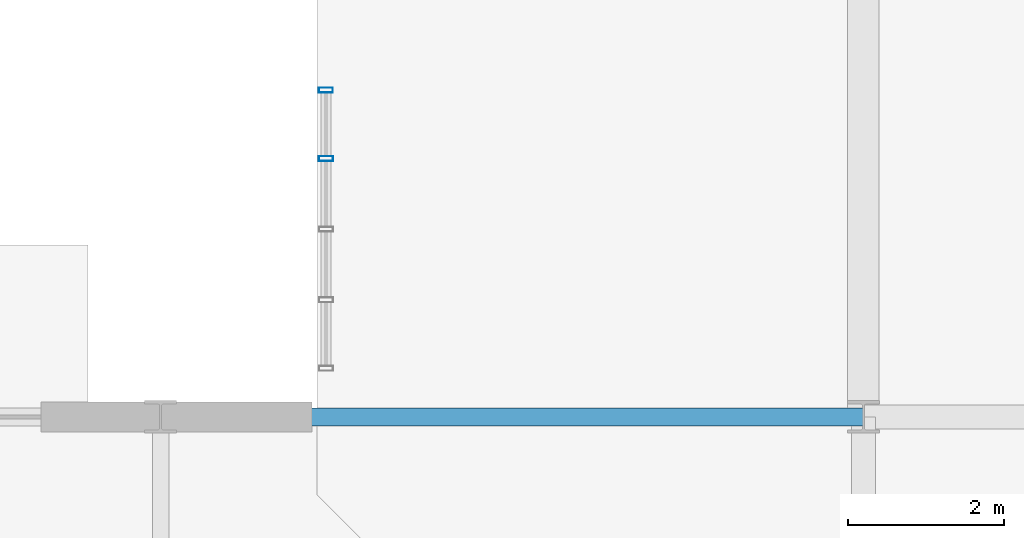
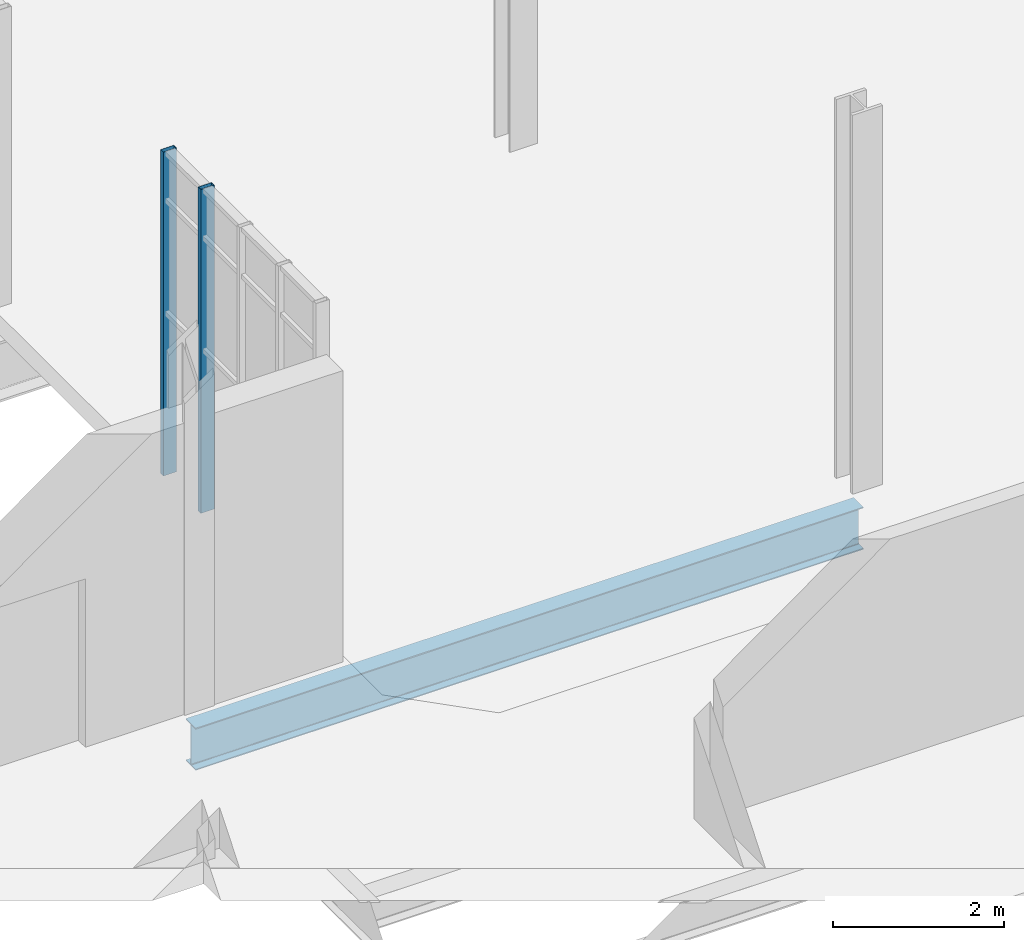
# One storey, part 29 of 189: 2 members, 1 beam, 1 element without a shape of its own.
"""IFC4 building model written with IfcOpenShell, lengths in metres."""

from ifc_helpers import new_model, si_unit, direction, frame, origin, origin_2d, place, context, subcontext, project, spatial, hollow_rectangle, i_section, extrude, material, layer, layer_set, material_profile, profile_set, type_object, element, aggregate, save


model = new_model("IFC4")

# Units and contexts
model_context = context("Model", 3, precision=1e-05, world=origin(), true_north=direction((0.0, 1.0)))
body_context = subcontext(model_context, "Body", "Model", "MODEL_VIEW")
ifc_project = project(units=[si_unit("LENGTHUNIT", "METRE"), si_unit("AREAUNIT", "SQUARE_METRE"), si_unit("VOLUMEUNIT", "CUBIC_METRE"), si_unit("PLANEANGLEUNIT", "RADIAN"), si_unit("MASSUNIT", "GRAM", prefix="KILO"), si_unit("THERMODYNAMICTEMPERATUREUNIT", "KELVIN"), si_unit("POWERUNIT", "WATT")], contexts=[model_context])

# Site, building, storey
site_placement = place(None, origin())
site = spatial("IfcSite", under=ifc_project, at=site_placement, CompositionType="ELEMENT")
building_placement = place(site_placement, origin())
building = spatial("IfcBuilding", under=site, at=building_placement, Name="Zelmaris Science Centre", CompositionType="ELEMENT")
storey_placement = place(building_placement, origin())
storey = spatial("IfcBuildingStorey", under=building, at=storey_placement, Name="L00", CompositionType="ELEMENT", Elevation=0.0)

# Curtain wall, members
ifc_material_1 = material(Name="Anodised architectural aluminium 6063-T6", Category="aluminium")
ifc_layer = layer(ifc_material_1, 0.2099609375, Name="Anodised architectural aluminium 6063-T6")
ifc_layer_set = layer_set([ifc_layer], Name="Anodised architectural aluminium 6063-T6")
curtain_wall_type = type_object("IfcCurtainWallType", Name="Curtain Wall CW-03", PredefinedType="USERDEFINED", material=ifc_layer_set)
curtain_wall_placement = place(storey_placement, origin())
curtain_wall = element("IfcCurtainWall", 1, at=curtain_wall_placement, inside=storey, type_object=curtain_wall_type, Name="L00 Unitised curtain wall 7", ObjectType="GLAZED CURTAIN WALL", PredefinedType="USERDEFINED")
ifc_material_profile_1 = material_profile(ifc_material_1, hollow_rectangle(XDim=0.06494140625, YDim=0.179931640625, WallThickness=0.00390625, at=origin_2d()), Name="ALU-MUL-65X180")
ifc_profile_set_1 = profile_set([ifc_material_profile_1], Name="Anodised architectural aluminium 6063-T6")
member_type = type_object("IfcMemberType", Name="ALU-MUL-65X180", PredefinedType="MULLION", material=ifc_profile_set_1)
member_1_placement = place(storey_placement, frame((20.118408203125, 43.30810546875, -0.014892578125), z_axis=(0.0, 0.0, 1.0), x_axis=(-0.000427605654, 0.999999908577, 0.0)))
member_1 = element("IfcMember", 2, at=member_1_placement, type_object=member_type, Name="CW-03 mullion 4", PredefinedType="MULLION", context=body_context, shape_type="SweptSolid", body=[
    extrude(hollow_rectangle(XDim=0.06494140625, YDim=0.179931640625, WallThickness=0.00390625, at=origin_2d()), origin(), (0.0, 0.0, 1.0), 4.614990234375),
])
member_2_placement = place(storey_placement, frame((20.117919921875, 44.184326171875, -0.014892578125), z_axis=(0.0, 0.0, 1.0), x_axis=(-0.000427605654, 0.999999908577, 0.0)))
member_2 = element("IfcMember", 3, at=member_2_placement, type_object=member_type, Name="CW-03 mullion 5", PredefinedType="MULLION", context=body_context, shape_type="SweptSolid", body=[
    extrude(hollow_rectangle(XDim=0.06494140625, YDim=0.179931640625, WallThickness=0.00390625, at=origin_2d()), origin(), (0.0, 0.0, 1.0), 4.614990234375),
])
aggregate(curtain_wall, [member_1, member_2])

# Beam
ifc_material_2 = material(Name="Steel ASTM A992 Grade 50", Category="steel")
ifc_material_profile_2 = material_profile(ifc_material_2, i_section(OverallWidth=0.22900390625, OverallDepth=0.60205078125, WebThickness=0.010498046875, FlangeThickness=0.014892578125, FilletRadius=0.014892578125, at=origin_2d()), Name="W24X68")
ifc_profile_set_2 = profile_set([ifc_material_profile_2], Name="Steel ASTM A992 Grade 50")
beam_type = type_object("IfcBeamType", Name="Beam G-17 W24X68", PredefinedType="BEAM", material=ifc_profile_set_2)
beam_placement = place(storey_placement, frame((18.0, 40.0, -0.611083984375), z_axis=(1.0, 0.0, 0.0), x_axis=(0.0, 1.0, 0.0)))
element("IfcBeam", 4, at=beam_placement, inside=storey, type_object=beam_type, Name="L00 East-west girder 134", PredefinedType="BEAM", context=body_context, shape_type="SweptSolid", body=[
    extrude(i_section(OverallWidth=0.22900390625, OverallDepth=0.60205078125, WebThickness=0.010498046875, FlangeThickness=0.014892578125, FilletRadius=0.014892578125, at=origin_2d()), origin(), (0.0, 0.0, 1.0), 9.0),
])

save(model, "model.ifc")
